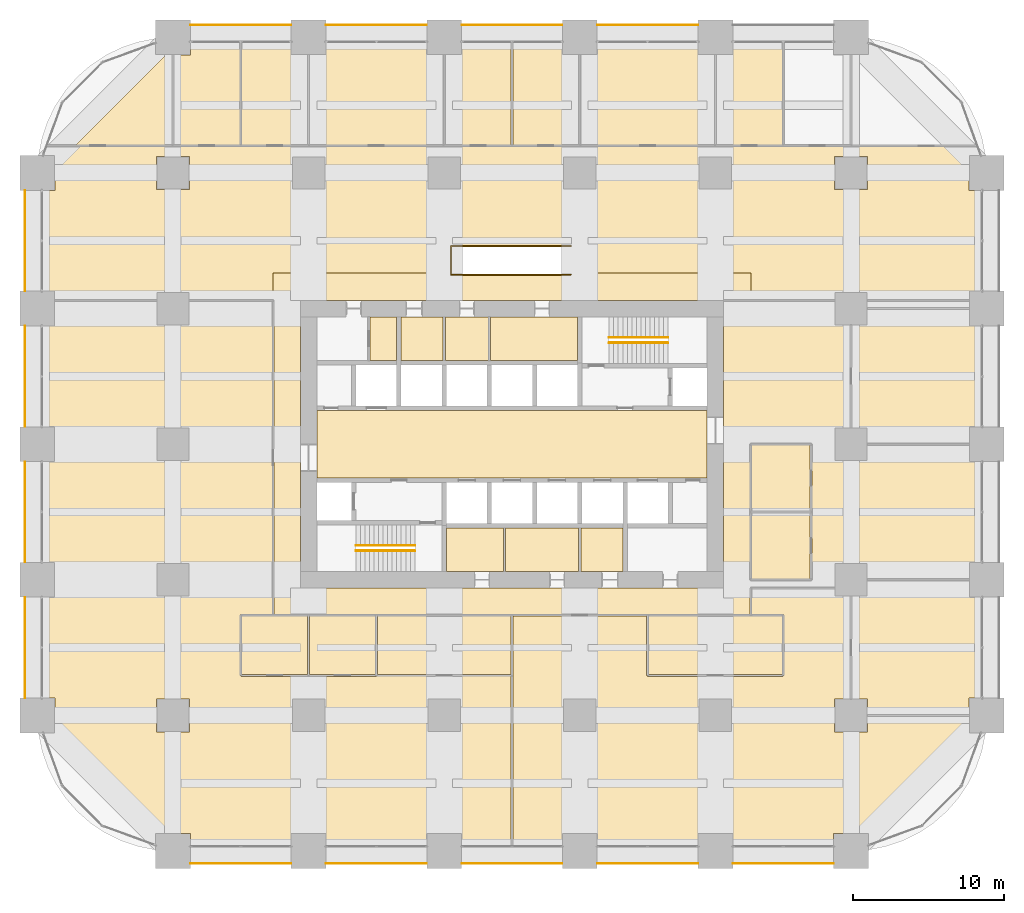
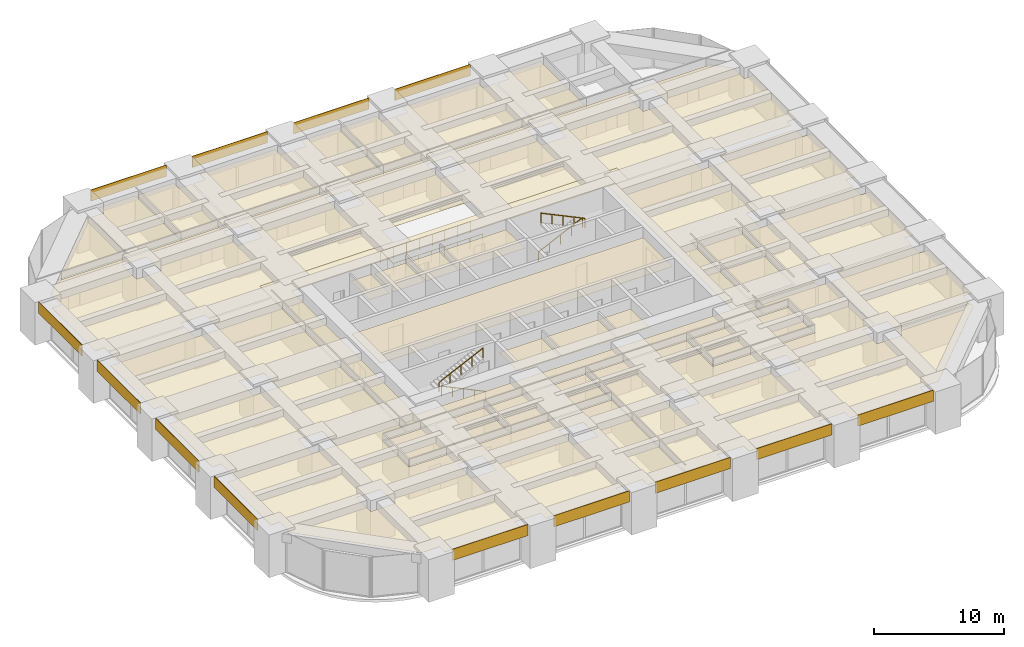
# One storey, part 43 of 44: 42 coverings, 5 railings.
"""IFC4 building model written with IfcOpenShell, lengths in metres."""

import ifcopenshell
import ifcopenshell.guid

model = None  # the IFC model being written
_history = None  # IfcOwnerHistory: only IFC2X3 demands one
_inside = {}  # id of a spatial element -> (the spatial element, [elements in it])
_under = {}  # id of a project, library or spatial element -> (it, [spatial elements below it])
_declared = {}  # id of a project -> (the project, [libraries it declares])
_typed = {}  # id of a type object -> (the type object, [elements of that type])
_made_of = {}  # id of a material, layer set ... -> (it, [elements and type objects made of it])


def new_model(schema):
    """Start an empty IFC model of exactly this schema.

    Asked for "IFC4X3", IfcOpenShell would pick the latest addendum, in which some entities
    have other attributes; the version numbers below select the first issue.
    IFC2X3 requires an IfcOwnerHistory on every rooted entity: one is made here for all.
    """
    global model, _history
    if schema == "IFC4X3":
        model = ifcopenshell.file(schema_version=(4, 3, 0, 0))
    else:
        model = ifcopenshell.file(schema=schema)
    _inside.clear()
    _under.clear()
    _declared.clear()
    _typed.clear()
    _made_of.clear()
    _history = None
    if model.schema == "IFC2X3":
        org = make("IfcOrganization", Name="unknown")
        user = make(
            "IfcPersonAndOrganization",
            ThePerson=make("IfcPerson", FamilyName="unknown"),
            TheOrganization=org,
        )
        app = make(
            "IfcApplication",
            ApplicationDeveloper=org,
            Version="unknown",
            ApplicationFullName="unknown",
            ApplicationIdentifier="unknown",
        )
        _history = make(
            "IfcOwnerHistory",
            OwningUser=user,
            OwningApplication=app,
            ChangeAction="ADDED",
            CreationDate=0,
        )
    return model


def make(cls, **values):
    """One entity of the class cls with the attributes given. An attribute that is None is left unset."""
    return model.create_entity(
        cls, **{name: value for name, value in values.items() if value is not None}
    )


def rooted(cls, **values):
    """An entity with a GlobalId (a new one), such as an element, a storey or a relation."""
    return make(cls, GlobalId=ifcopenshell.guid.new(), OwnerHistory=_history, **values)


def si_unit(unit_type, name, prefix=None):
    """IfcSIUnit, for example si_unit("LENGTHUNIT", "METRE", prefix="MILLI")."""
    return make("IfcSIUnit", UnitType=unit_type, Prefix=prefix, Name=name)


def assignment(units):
    """IfcUnitAssignment: the units of a project."""
    return None if units is None else make("IfcUnitAssignment", Units=units)


def point(xyz):
    """IfcCartesianPoint."""
    return None if xyz is None else make("IfcCartesianPoint", Coordinates=xyz)


def direction(xyz):
    """IfcDirection."""
    return None if xyz is None else make("IfcDirection", DirectionRatios=xyz)


def frame(location, z_axis=None, x_axis=None):
    """IfcAxis2Placement3D, a coordinate frame: its origin and axes. An axis left out is left unset."""
    return make(
        "IfcAxis2Placement3D",
        Location=point(location),
        Axis=direction(z_axis),
        RefDirection=direction(x_axis),
    )


def frame_2d(location, x_axis=None):
    """IfcAxis2Placement2D, a coordinate frame in the plane: its origin and x axis."""
    return make(
        "IfcAxis2Placement2D", Location=point(location), RefDirection=direction(x_axis)
    )


def origin():
    """The frame at (0, 0, 0) with its axes left unset."""
    return frame((0.0, 0.0, 0.0))


def origin_2d():
    """The frame at (0, 0) in the plane with its x axis left unset."""
    return frame_2d((0.0, 0.0))


def place(relative_to, where):
    """IfcLocalPlacement: puts the frame where relative to a parent placement (None: the world)."""
    return make(
        "IfcLocalPlacement", PlacementRelTo=relative_to, RelativePlacement=where
    )


def context(
    kind, dimensions, precision=None, world=None, true_north=None, identifier=None
):
    """IfcGeometricRepresentationContext, for example the 3D "Model" context."""
    return make(
        "IfcGeometricRepresentationContext",
        ContextIdentifier=identifier,
        ContextType=kind,
        CoordinateSpaceDimension=dimensions,
        Precision=precision,
        WorldCoordinateSystem=world,
        TrueNorth=true_north,
    )


def subcontext(parent, identifier, kind, view, scale=None):
    """IfcGeometricRepresentationSubContext, for example "Body" below "Model"."""
    return make(
        "IfcGeometricRepresentationSubContext",
        ContextIdentifier=identifier,
        ContextType=kind,
        ParentContext=parent,
        TargetScale=scale,
        TargetView=view,
    )


def project(units=None, contexts=None):
    """IfcProject with its units and contexts."""
    return rooted(
        "IfcProject",
        Name="project",
        RepresentationContexts=contexts,
        UnitsInContext=assignment(units),
    )


def spatial(cls, under=None, at=None, **own):
    """A site, building, storey or space (cls), placed at a placement, below another one or the project."""
    s = rooted(cls, ObjectPlacement=at, **own)
    if under is not None:
        _under.setdefault(under.id(), (under, []))[1].append(s)
    return s


def polyline(points):
    """IfcPolyline through the points."""
    return make("IfcPolyline", Points=[point(p) for p in points])


def profile(cls, at=None, kind="AREA", **sizes):
    """A parametric profile (cls). Its sizes go by their IFC names, for example OverallWidth=200.0."""
    return make(cls, ProfileType=kind, Position=at, **sizes)


def rectangle(**sizes):
    """IfcRectangleProfileDef."""
    return profile("IfcRectangleProfileDef", **sizes)


def circle(**sizes):
    """IfcCircleProfileDef."""
    return profile("IfcCircleProfileDef", **sizes)


def outline(outer, holes=None, kind="AREA"):
    """IfcArbitraryClosedProfileDef: a profile drawn as a closed curve; with holes, ...WithVoids."""
    if holes is None:
        return make("IfcArbitraryClosedProfileDef", ProfileType=kind, OuterCurve=outer)
    return make(
        "IfcArbitraryProfileDefWithVoids",
        ProfileType=kind,
        OuterCurve=outer,
        InnerCurves=holes,
    )


def extrude(swept, where, along, depth):
    """IfcExtrudedAreaSolid: the profile swept, set in the frame where, extruded along a direction by depth."""
    return make(
        "IfcExtrudedAreaSolid",
        SweptArea=swept,
        Position=where,
        ExtrudedDirection=direction(along),
        Depth=depth,
    )


def shape(context_of_items, identifier, shape_type, items):
    """IfcShapeRepresentation: the items that make up one representation, for example the "Body"."""
    return make(
        "IfcShapeRepresentation",
        ContextOfItems=context_of_items,
        RepresentationIdentifier=identifier,
        RepresentationType=shape_type,
        Items=items,
    )


def material(Name=None, Category=None):
    """IfcMaterial."""
    return make("IfcMaterial", Name=Name, Category=Category)


def layer(
    of_material, thickness, ventilated=None, Name=None, Category=None, Priority=None
):
    """IfcMaterialLayer: one layer of a wall or slab, of a material (None: an air gap)."""
    return make(
        "IfcMaterialLayer",
        Material=of_material,
        LayerThickness=thickness,
        IsVentilated=ventilated,
        Name=Name,
        Category=Category,
        Priority=Priority,
    )


def layer_set(layers, Name=None):
    """IfcMaterialLayerSet."""
    return make("IfcMaterialLayerSet", MaterialLayers=layers, LayerSetName=Name)


def made_of(thing, what):
    """Note that an element or type object is made of a material, layer set ...; save() writes the relation."""
    if what is not None:
        _made_of.setdefault(what.id(), (what, []))[1].append(thing)
    return thing


def type_object(cls, material=None, **own):
    """A type object (cls), such as IfcWallType, which elements share."""
    return made_of(rooted(cls, **own), material)


def element(
    cls,
    number,
    at=None,
    inside=None,
    cuts=None,
    type_object=None,
    material=None,
    context=None,
    identifier="Body",
    shape_type=None,
    held_by="IfcProductDefinitionShape",
    body=None,
    shapes=None,
    **own,
):
    """One element of the class cls, such as IfcWall. Its Tag is "e" and its number.

    at: its placement. inside: the storey or other place that contains it. cuts: it is an
    opening in that element (IfcRelVoidsElement). A single representation is given by context,
    identifier, shape_type and body (its items); several are given by shapes. held_by: the class
    of the entity that holds the representations. save() writes the other relations.
    """
    e = rooted(cls, Tag="e%d" % number, ObjectPlacement=at, **own)
    if body is not None:
        shapes = [shape(context, identifier, shape_type, body)]
    if shapes is not None:
        e.Representation = make(held_by, Representations=shapes)
    if inside is not None:
        _inside.setdefault(inside.id(), (inside, []))[1].append(e)
    if cuts is not None:
        rooted(
            "IfcRelVoidsElement", RelatingBuildingElement=cuts, RelatedOpeningElement=e
        )
    if type_object is not None:
        _typed.setdefault(type_object.id(), (type_object, []))[1].append(e)
    return made_of(e, material)


def aggregate(whole, parts):
    """IfcRelAggregates: a whole, such as a stair, and the parts it consists of."""
    return rooted("IfcRelAggregates", RelatingObject=whole, RelatedObjects=parts)


def save(model, path):
    """Write the relations noted so far, then the file.

    IfcRelAggregates (storeys below a building ...), IfcRelContainedInSpatialStructure (elements
    in a storey), IfcRelDefinesByType, IfcRelAssociatesMaterial and IfcRelDeclares: one each for
    every whole, place, type object, material and project.
    """
    for whole, parts in _under.values():
        aggregate(whole, parts)
    for where, things in _inside.values():
        rooted(
            "IfcRelContainedInSpatialStructure",
            RelatedElements=things,
            RelatingStructure=where,
        )
    for kind, things in _typed.values():
        rooted("IfcRelDefinesByType", RelatedObjects=things, RelatingType=kind)
    for what, things in _made_of.values():
        rooted("IfcRelAssociatesMaterial", RelatedObjects=things, RelatingMaterial=what)
    for by, libraries in _declared.values():
        rooted("IfcRelDeclares", RelatingContext=by, RelatedDefinitions=libraries)
    model.write(path)


model = new_model("IFC4")

# Units and contexts
model_context = context("Model", 3, precision=1e-05, world=origin(), true_north=direction((0.0, 1.0)))
body_context = subcontext(model_context, "Body", "Model", "MODEL_VIEW")
ifc_project = project(units=[si_unit("LENGTHUNIT", "METRE"), si_unit("AREAUNIT", "SQUARE_METRE"), si_unit("VOLUMEUNIT", "CUBIC_METRE"), si_unit("PLANEANGLEUNIT", "RADIAN"), si_unit("MASSUNIT", "GRAM", prefix="KILO")], contexts=[model_context])

# Site, building, storey
site_placement = place(None, origin())
site = spatial("IfcSite", under=ifc_project, at=site_placement, CompositionType="ELEMENT")
building_placement = place(site_placement, origin())
building = spatial("IfcBuilding", under=site, at=building_placement, Name="Zorevar Civic Tower", CompositionType="ELEMENT")
storey_placement = place(building_placement, frame((0.0, 0.0, 63.800048828125)))
storey = spatial("IfcBuildingStorey", under=building, at=storey_placement, Name="L15", CompositionType="ELEMENT", Elevation=63.800048828125)

# Railings
ifc_material_1 = material(Name="Laminated glass balustrade with black steel handrail", Category="steel")
railing_type_1 = type_object("IfcRailingType", Name="Balustrade BL1 1100", PredefinedType="BALUSTRADE", material=ifc_material_1)
railing_1_placement = place(storey_placement, frame((35.39990234375, 38.25, 0.0)))
element("IfcRailing", 1, at=railing_1_placement, inside=storey, type_object=railing_type_1, Name="Balustrade BL1 stair void L15", PredefinedType="BALUSTRADE", context=body_context, shape_type="SweptSolid", body=[
    extrude(circle(Radius=0.02392578125, at=origin_2d()), frame((0.0, 0.0, 1.076171875), z_axis=(-1.0, 0.0, 0.0), x_axis=(0.0, -1.0, 0.0)), (0.0, 0.0, 1.0), 7.949951171875),
    extrude(circle(Radius=0.02392578125, at=origin_2d()), frame((-7.949951171875, 0.0, 1.076171875), z_axis=(0.0, 1.0, 0.0), x_axis=(-1.0, 0.0, 0.0)), (0.0, 0.0, 1.0), 1.89990234375),
    extrude(circle(Radius=0.02392578125, at=origin_2d()), frame((-7.949951171875, 1.89990234375, 1.076171875), z_axis=(1.0, 0.0, 0.0), x_axis=(0.0, 1.0, 0.0)), (0.0, 0.0, 1.0), 7.949951171875),
    extrude(circle(Radius=0.02099609375, at=origin_2d()), origin(), (0.0, 0.0, 1.0), 1.052001953125),
    extrude(circle(Radius=0.02099609375, at=origin_2d()), frame((-1.1357421875, 0.0, 0.0)), (0.0, 0.0, 1.0), 1.052001953125),
    extrude(circle(Radius=0.02099609375, at=origin_2d()), frame((-2.271484375, 0.0, 0.0)), (0.0, 0.0, 1.0), 1.052001953125),
    extrude(circle(Radius=0.02099609375, at=origin_2d()), frame((-3.4072265625, 0.0, 0.0)), (0.0, 0.0, 1.0), 1.052001953125),
    extrude(circle(Radius=0.02099609375, at=origin_2d()), frame((-4.542724609375, 0.0, 0.0)), (0.0, 0.0, 1.0), 1.052001953125),
    extrude(circle(Radius=0.02099609375, at=origin_2d()), frame((-5.678466796875, 0.0, 0.0)), (0.0, 0.0, 1.0), 1.052001953125),
    extrude(circle(Radius=0.02099609375, at=origin_2d()), frame((-6.814208984375, 0.0, 0.0)), (0.0, 0.0, 1.0), 1.052001953125),
    extrude(circle(Radius=0.02099609375, at=origin_2d()), frame((-7.949951171875, 0.0, 0.0)), (0.0, 0.0, 1.0), 1.052001953125),
    extrude(circle(Radius=0.02099609375, at=origin_2d()), frame((-7.949951171875, 0.949951171875, 0.0)), (0.0, 0.0, 1.0), 1.052001953125),
    extrude(circle(Radius=0.02099609375, at=origin_2d()), frame((-7.949951171875, 1.89990234375, 0.0)), (0.0, 0.0, 1.0), 1.052001953125),
    extrude(circle(Radius=0.02099609375, at=origin_2d()), frame((-6.814208984375, 1.89990234375, 0.0)), (0.0, 0.0, 1.0), 1.052001953125),
    extrude(circle(Radius=0.02099609375, at=origin_2d()), frame((-5.678466796875, 1.89990234375, 0.0)), (0.0, 0.0, 1.0), 1.052001953125),
    extrude(circle(Radius=0.02099609375, at=origin_2d()), frame((-4.542724609375, 1.89990234375, 0.0)), (0.0, 0.0, 1.0), 1.052001953125),
    extrude(circle(Radius=0.02099609375, at=origin_2d()), frame((-3.4072265625, 1.89990234375, 0.0)), (0.0, 0.0, 1.0), 1.052001953125),
    extrude(circle(Radius=0.02099609375, at=origin_2d()), frame((-2.271484375, 1.89990234375, 0.0)), (0.0, 0.0, 1.0), 1.052001953125),
    extrude(circle(Radius=0.02099609375, at=origin_2d()), frame((-1.1357421875, 1.89990234375, 0.0)), (0.0, 0.0, 1.0), 1.052001953125),
    extrude(circle(Radius=0.02099609375, at=origin_2d()), frame((0.0, 1.89990234375, 0.0)), (0.0, 0.0, 1.0), 1.052001953125),
])
ifc_material_2 = material(Name="Black steel handrail", Category="steel")
railing_type_2 = type_object("IfcRailingType", Name="Handrail HR1 900", PredefinedType="HANDRAIL", material=ifc_material_2)
railing_2_placement = place(storey_placement, frame((25.050048828125, 19.925048828125, 0.142822265625)))
element("IfcRailing", 2, at=railing_2_placement, inside=storey, type_object=railing_type_2, Name="Handrail HR1 ST1 L15", PredefinedType="HANDRAIL", context=body_context, shape_type="SweptSolid", body=[
    extrude(circle(Radius=0.02392578125, at=origin_2d()), frame((0.0, 0.0, 0.8759765625), z_axis=(-0.902863652845, 0.0, 0.429926998885), x_axis=(0.0, -1.0, 0.0)), (0.0, 0.0, 1.0), 4.31982421875),
    extrude(circle(Radius=0.02099609375, at=origin_2d()), origin(), (0.0, 0.0, 1.0), 0.851806640625),
    extrude(circle(Radius=0.02099609375, at=origin_2d()), frame((-0.97509765625, 0.0, 0.46435546875)), (0.0, 0.0, 1.0), 0.851806640625),
    extrude(circle(Radius=0.02099609375, at=origin_2d()), frame((-1.9501953125, 0.0, 0.9287109375)), (0.0, 0.0, 1.0), 0.851806640625),
    extrude(circle(Radius=0.02099609375, at=origin_2d()), frame((-2.925048828125, 0.0, 1.392822265625)), (0.0, 0.0, 1.0), 0.851806640625),
    extrude(circle(Radius=0.02099609375, at=origin_2d()), frame((-3.900146484375, 0.0, 1.857177734375)), (0.0, 0.0, 1.0), 0.851806640625),
])
for number, where, name in (
    (3, (21.14990234375, 20.27490234375, 2.142822265625), "Handrail HR1 ST1 L15"),
    (4, (37.949951171875, 34.074951171875, 0.142822265625), "Handrail HR1 ST2 L15"),
):
    element("IfcRailing", number, at=place(storey_placement, frame(where)), inside=storey, type_object=railing_type_2, Name=name, PredefinedType="HANDRAIL", context=body_context, shape_type="SweptSolid", body=[
        extrude(circle(Radius=0.02392578125, at=origin_2d()), frame((0.0, 0.0, 0.8759765625), z_axis=(0.902863652845, 0.0, 0.429926998885), x_axis=(0.0, 1.0, 0.0)), (0.0, 0.0, 1.0), 4.31982421875),
        extrude(circle(Radius=0.02099609375, at=origin_2d()), origin(), (0.0, 0.0, 1.0), 0.851806640625),
        extrude(circle(Radius=0.02099609375, at=origin_2d()), frame((0.97509765625, 0.0, 0.46435546875)), (0.0, 0.0, 1.0), 0.851806640625),
        extrude(circle(Radius=0.02099609375, at=origin_2d()), frame((1.9501953125, 0.0, 0.9287109375)), (0.0, 0.0, 1.0), 0.851806640625),
        extrude(circle(Radius=0.02099609375, at=origin_2d()), frame((2.925048828125, 0.0, 1.392822265625)), (0.0, 0.0, 1.0), 0.851806640625),
        extrude(circle(Radius=0.02099609375, at=origin_2d()), frame((3.900146484375, 0.0, 1.857177734375)), (0.0, 0.0, 1.0), 0.851806640625),
    ])
railing_3_placement = place(storey_placement, frame((41.85009765625, 33.72509765625, 2.142822265625)))
element("IfcRailing", 5, at=railing_3_placement, inside=storey, type_object=railing_type_2, Name="Handrail HR1 ST2 L15", PredefinedType="HANDRAIL", context=body_context, shape_type="SweptSolid", body=[
    extrude(circle(Radius=0.02392578125, at=origin_2d()), frame((0.0, 0.0, 0.8759765625), z_axis=(-0.902863652845, 0.0, 0.429926998885), x_axis=(0.0, -1.0, 0.0)), (0.0, 0.0, 1.0), 4.31982421875),
    extrude(circle(Radius=0.02099609375, at=origin_2d()), origin(), (0.0, 0.0, 1.0), 0.851806640625),
    extrude(circle(Radius=0.02099609375, at=origin_2d()), frame((-0.97509765625, 0.0, 0.46435546875)), (0.0, 0.0, 1.0), 0.851806640625),
    extrude(circle(Radius=0.02099609375, at=origin_2d()), frame((-1.9501953125, 0.0, 0.9287109375)), (0.0, 0.0, 1.0), 0.851806640625),
    extrude(circle(Radius=0.02099609375, at=origin_2d()), frame((-2.925048828125, 0.0, 1.392822265625)), (0.0, 0.0, 1.0), 0.851806640625),
    extrude(circle(Radius=0.02099609375, at=origin_2d()), frame((-3.900146484375, 0.0, 1.857177734375)), (0.0, 0.0, 1.0), 0.851806640625),
])

# Coverings
ifc_material_3 = material(Name="Moisture-resistant gypsum board")
ifc_layer_1 = layer(ifc_material_3, 0.012451171875)
ifc_layer_set_1 = layer_set([ifc_layer_1], Name="Moisture-resistant ceiling SC3")
covering_type_1 = type_object("IfcCoveringType", Name="Moisture-resistant ceiling SC3", PredefinedType="CEILING", material=ifc_layer_set_1)
covering_1_placement = place(storey_placement, frame((0.0, 0.0, 3.0)))
element("IfcCovering", 6, at=covering_1_placement, inside=storey, type_object=covering_type_1, Name="Ceiling L15-05", PredefinedType="CEILING", context=body_context, shape_type="SweptSolid", body=[
    extrude(outline(polyline([(30.925048828125, 18.550048828125), (30.925048828125, 21.449951171875), (27.14990234375, 21.449951171875), (27.14990234375, 18.550048828125), (30.925048828125, 18.550048828125)])), origin(), (0.0, 0.0, 1.0), 0.012451171875),
])
covering_2_placement = place(storey_placement, frame((0.0, 0.0, 3.0)))
element("IfcCovering", 7, at=covering_2_placement, inside=storey, type_object=covering_type_1, Name="Ceiling L15-06", PredefinedType="CEILING", context=body_context, shape_type="SweptSolid", body=[
    extrude(outline(polyline([(35.925048828125, 18.550048828125), (35.925048828125, 21.449951171875), (31.074951171875, 21.449951171875), (31.074951171875, 18.550048828125), (35.925048828125, 18.550048828125)])), origin(), (0.0, 0.0, 1.0), 0.012451171875),
])
covering_3_placement = place(storey_placement, frame((0.0, 0.0, 3.0)))
element("IfcCovering", 8, at=covering_3_placement, inside=storey, type_object=covering_type_1, Name="Ceiling L15-07", PredefinedType="CEILING", context=body_context, shape_type="SweptSolid", body=[
    extrude(outline(polyline([(38.85009765625, 18.550048828125), (38.85009765625, 21.449951171875), (36.074951171875, 21.449951171875), (36.074951171875, 18.550048828125), (38.85009765625, 18.550048828125)])), origin(), (0.0, 0.0, 1.0), 0.012451171875),
])
covering_4_placement = place(storey_placement, frame((0.0, 0.0, 3.0)))
element("IfcCovering", 9, at=covering_4_placement, inside=storey, type_object=covering_type_1, Name="Ceiling L15-10", PredefinedType="CEILING", context=body_context, shape_type="SweptSolid", body=[
    extrude(outline(polyline([(26.925048828125, 32.550048828125), (26.925048828125, 35.449951171875), (24.14990234375, 35.449951171875), (24.14990234375, 32.550048828125), (26.925048828125, 32.550048828125)])), origin(), (0.0, 0.0, 1.0), 0.012451171875),
])
ifc_material_4 = material(Name="Black anodised aluminium spandrel panel", Category="aluminium")
ifc_layer_2 = layer(ifc_material_4, 0.050048828125)
ifc_layer_set_2 = layer_set([ifc_layer_2], Name="Spandrel cladding SP1")
covering_type_2 = type_object("IfcCoveringType", Name="Spandrel cladding SP1", PredefinedType="CLADDING", material=ifc_layer_set_2)
for number, where, z_axis, x_axis, name in (
    (10, (10.14990234375, -0.824951171875, 2.949951171875), (0.0, 0.0, 1.0), (1.0, 0.0, 0.0), "Spandrel cladding L16"),
    (11, (19.14990234375, -0.824951171875, 2.949951171875), (0.0, 0.0, 1.0), (1.0, 0.0, 0.0), "Spandrel cladding L16"),
    (12, (28.14990234375, -0.824951171875, 2.949951171875), (0.0, 0.0, 1.0), (1.0, 0.0, 0.0), "Spandrel cladding L16"),
    (13, (37.14990234375, -0.824951171875, 2.949951171875), (0.0, 0.0, 1.0), (1.0, 0.0, 0.0), "Spandrel cladding L16"),
    (14, (46.14990234375, -0.824951171875, 2.949951171875), (0.0, 0.0, 1.0), (1.0, 0.0, 0.0), "Spandrel cladding L16"),
    (15, (10.14990234375, 54.824951171875, 2.949951171875), (0.0, 0.0, 1.0), (1.0, 0.0, 0.0), "Spandrel cladding L16"),
    (16, (19.14990234375, 54.824951171875, 2.949951171875), (0.0, 0.0, 1.0), (1.0, 0.0, 0.0), "Spandrel cladding L16"),
    (17, (28.14990234375, 54.824951171875, 2.949951171875), (0.0, 0.0, 1.0), (1.0, 0.0, 0.0), "Spandrel cladding L16"),
    (18, (37.14990234375, 54.824951171875, 2.949951171875), (0.0, 0.0, 1.0), (1.0, 0.0, 0.0), "Spandrel cladding L16"),
    (19, (-0.824951171875, 10.14990234375, 2.949951171875), (0.0, 0.0, 1.0), (0.0, 1.0, 0.0), "Spandrel cladding L16"),
    (20, (-0.824951171875, 19.14990234375, 2.949951171875), (0.0, 0.0, 1.0), (0.0, 1.0, 0.0), "Spandrel cladding L16"),
    (21, (-0.824951171875, 28.14990234375, 2.949951171875), (0.0, 0.0, 1.0), (0.0, 1.0, 0.0), "Spandrel cladding L16"),
    (22, (-0.824951171875, 37.14990234375, 2.949951171875), (0.0, 0.0, 1.0), (0.0, 1.0, 0.0), "Spandrel cladding L16"),
):
    element("IfcCovering", number, at=place(storey_placement, frame(where, z_axis=z_axis, x_axis=x_axis)), inside=storey, type_object=covering_type_2, Name=name, PredefinedType="CLADDING", context=body_context, shape_type="SweptSolid", body=[
        extrude(rectangle(XDim=6.7001953125, YDim=0.050048828125, at=frame_2d((3.35009765625, 0.0))), origin(), (0.0, 0.0, 1.0), 1.050048828125),
    ])
ifc_material_5 = material(Name="Mineral fibre tiles on a concealed grid")
ifc_layer_3 = layer(ifc_material_5, 0.02001953125)
ifc_layer_set_3 = layer_set([ifc_layer_3], Name="Suspended ceiling SC1")
covering_type_3 = type_object("IfcCoveringType", Name="Suspended ceiling SC1", PredefinedType="CEILING", material=ifc_layer_set_3)
covering_5_placement = place(storey_placement, frame((0.0, 0.0, 3.0)))
element("IfcCovering", 23, at=covering_5_placement, inside=storey, type_object=covering_type_3, Name="Ceiling L15-08", PredefinedType="CEILING", context=body_context, shape_type="SweptSolid", body=[
    extrude(outline(polyline([(35.85009765625, 32.550048828125), (35.85009765625, 35.449951171875), (30.06005859375, 35.449951171875), (30.06005859375, 32.550048828125), (35.85009765625, 32.550048828125)])), origin(), (0.0, 0.0, 1.0), 0.02001953125),
])
covering_6_placement = place(storey_placement, frame((0.0, 0.0, 3.0)))
element("IfcCovering", 24, at=covering_6_placement, inside=storey, type_object=covering_type_3, Name="Ceiling L15-09", PredefinedType="CEILING", context=body_context, shape_type="SweptSolid", body=[
    extrude(outline(polyline([(29.93994140625, 32.550048828125), (29.93994140625, 35.449951171875), (27.074951171875, 35.449951171875), (27.074951171875, 32.550048828125), (29.93994140625, 32.550048828125)])), origin(), (0.0, 0.0, 1.0), 0.02001953125),
])
covering_7_placement = place(storey_placement, frame((0.0, 0.0, 3.0)))
element("IfcCovering", 25, at=covering_7_placement, inside=storey, type_object=covering_type_3, Name="Ceiling L15-12", PredefinedType="CEILING", context=body_context, shape_type="SweptSolid", body=[
    extrude(outline(polyline([(23.85009765625, 32.550048828125), (23.85009765625, 35.449951171875), (22.06005859375, 35.449951171875), (22.06005859375, 32.550048828125), (23.85009765625, 32.550048828125)])), origin(), (0.0, 0.0, 1.0), 0.02001953125),
])
covering_8_placement = place(storey_placement, frame((0.0, 0.0, 3.0)))
element("IfcCovering", 26, at=covering_8_placement, inside=storey, type_object=covering_type_3, Name="Ceiling L15-16", PredefinedType="CEILING", context=body_context, shape_type="SweptSolid", body=[
    extrude(outline(polyline([(44.449951171875, 24.75), (44.449951171875, 29.25), (18.550048828125, 29.25), (18.550048828125, 24.75), (44.449951171875, 24.75)])), origin(), (0.0, 0.0, 1.0), 0.02001953125),
])
covering_9_placement = place(storey_placement, frame((0.0, 0.0, 3.0)))
element("IfcCovering", 27, at=covering_9_placement, inside=storey, type_object=covering_type_3, Name="Ceiling L15-17", PredefinedType="CEILING", context=body_context, shape_type="SweptSolid", body=[
    extrude(outline(polyline([(9.06005859375, 46.860107421875), (9.06005859375, 52.840087890625), (10.159912109375, 52.840087890625), (10.159912109375, 53.64990234375), (13.43994140625, 53.64990234375), (13.43994140625, 46.860107421875), (9.06005859375, 46.860107421875)])), origin(), (0.0, 0.0, 1.0), 0.02001953125),
])
covering_10_placement = place(storey_placement, frame((0.0, 0.0, 3.0)))
element("IfcCovering", 28, at=covering_10_placement, inside=storey, type_object=covering_type_3, Name="Ceiling L15-18", PredefinedType="CEILING", context=body_context, shape_type="SweptSolid", body=[
    extrude(outline(polyline([(13.56005859375, 46.860107421875), (13.56005859375, 53.64990234375), (16.840087890625, 53.64990234375), (16.840087890625, 52.840087890625), (17.93994140625, 52.840087890625), (17.93994140625, 46.860107421875), (13.56005859375, 46.860107421875)])), origin(), (0.0, 0.0, 1.0), 0.02001953125),
])
covering_11_placement = place(storey_placement, frame((0.0, 0.0, 3.0)))
element("IfcCovering", 29, at=covering_11_placement, inside=storey, type_object=covering_type_3, Name="Ceiling L15-19", PredefinedType="CEILING", context=body_context, shape_type="SweptSolid", body=[
    extrude(outline(polyline([(19.159912109375, 52.840087890625), (19.159912109375, 53.64990234375), (25.840087890625, 53.64990234375), (25.840087890625, 52.840087890625), (26.93994140625, 52.840087890625), (26.93994140625, 46.860107421875), (18.06005859375, 46.860107421875), (18.06005859375, 52.840087890625), (19.159912109375, 52.840087890625)])), origin(), (0.0, 0.0, 1.0), 0.02001953125),
])
covering_12_placement = place(storey_placement, frame((0.0, 0.0, 3.0)))
element("IfcCovering", 30, at=covering_12_placement, inside=storey, type_object=covering_type_3, Name="Ceiling L15-20", PredefinedType="CEILING", context=body_context, shape_type="SweptSolid", body=[
    extrude(outline(polyline([(27.06005859375, 46.860107421875), (27.06005859375, 52.840087890625), (28.159912109375, 52.840087890625), (28.159912109375, 53.64990234375), (31.43994140625, 53.64990234375), (31.43994140625, 46.860107421875), (27.06005859375, 46.860107421875)])), origin(), (0.0, 0.0, 1.0), 0.02001953125),
])
covering_13_placement = place(storey_placement, frame((0.0, 0.0, 3.0)))
element("IfcCovering", 31, at=covering_13_placement, inside=storey, type_object=covering_type_3, Name="Ceiling L15-21", PredefinedType="CEILING", context=body_context, shape_type="SweptSolid", body=[
    extrude(outline(polyline([(31.56005859375, 46.860107421875), (31.56005859375, 53.64990234375), (34.840087890625, 53.64990234375), (34.840087890625, 52.840087890625), (35.93994140625, 52.840087890625), (35.93994140625, 46.860107421875), (31.56005859375, 46.860107421875)])), origin(), (0.0, 0.0, 1.0), 0.02001953125),
])
covering_14_placement = place(storey_placement, frame((0.0, 0.0, 3.0)))
element("IfcCovering", 32, at=covering_14_placement, inside=storey, type_object=covering_type_3, Name="Ceiling L15-22", PredefinedType="CEILING", context=body_context, shape_type="SweptSolid", body=[
    extrude(outline(polyline([(37.159912109375, 52.840087890625), (37.159912109375, 53.64990234375), (43.840087890625, 53.64990234375), (43.840087890625, 52.840087890625), (44.93994140625, 52.840087890625), (44.93994140625, 46.860107421875), (36.06005859375, 46.860107421875), (36.06005859375, 52.840087890625), (37.159912109375, 52.840087890625)])), origin(), (0.0, 0.0, 1.0), 0.02001953125),
])
covering_15_placement = place(storey_placement, frame((0.0, 0.0, 3.0)))
element("IfcCovering", 33, at=covering_15_placement, inside=storey, type_object=covering_type_3, Name="Ceiling L15-23", PredefinedType="CEILING", context=body_context, shape_type="SweptSolid", body=[
    extrude(outline(polyline([(45.06005859375, 46.860107421875), (45.06005859375, 52.840087890625), (46.159912109375, 52.840087890625), (46.159912109375, 53.64990234375), (49.43994140625, 53.64990234375), (49.43994140625, 46.860107421875), (45.06005859375, 46.860107421875)])), origin(), (0.0, 0.0, 1.0), 0.02001953125),
])
covering_16_placement = place(storey_placement, frame((0.0, 0.0, 3.0)))
element("IfcCovering", 34, at=covering_16_placement, inside=storey, type_object=covering_type_3, Name="Ceiling L15-25", PredefinedType="CEILING", context=body_context, shape_type="SweptSolid", body=[
    extrude(outline(polyline([(8.93994140625, 52.840087890625), (8.93994140625, 46.860107421875), (2.567138671875, 46.860107421875), (8.547119140625, 52.840087890625), (8.93994140625, 52.840087890625)])), origin(), (0.0, 0.0, 1.0), 0.02001953125),
])
covering_17_placement = place(storey_placement, frame((0.0, 0.0, 3.0)))
element("IfcCovering", 35, at=covering_17_placement, inside=storey, type_object=covering_type_3, Name="Ceiling L15-27", PredefinedType="CEILING", context=body_context, shape_type="SweptSolid", body=[
    extrude(outline(polyline([(17.93994140625, 11.7099609375), (13.56005859375, 11.7099609375), (13.56005859375, 15.590087890625), (17.93994140625, 15.590087890625), (17.93994140625, 11.7099609375)])), origin(), (0.0, 0.0, 1.0), 0.02001953125),
])
covering_18_placement = place(storey_placement, frame((0.0, 0.0, 3.0)))
element("IfcCovering", 36, at=covering_18_placement, inside=storey, type_object=covering_type_3, Name="Ceiling L15-28", PredefinedType="CEILING", context=body_context, shape_type="SweptSolid", body=[
    extrude(outline(polyline([(22.43994140625, 11.7099609375), (18.06005859375, 11.7099609375), (18.06005859375, 15.590087890625), (22.43994140625, 15.590087890625), (22.43994140625, 11.7099609375)])), origin(), (0.0, 0.0, 1.0), 0.02001953125),
])
covering_19_placement = place(storey_placement, frame((0.0, 0.0, 3.0)))
element("IfcCovering", 37, at=covering_19_placement, inside=storey, type_object=covering_type_3, Name="Ceiling L15-29", PredefinedType="CEILING", context=body_context, shape_type="SweptSolid", body=[
    extrude(outline(polyline([(22.56005859375, 11.699951171875), (22.56005859375, 15.590087890625), (31.43994140625, 15.590087890625), (31.43994140625, 11.699951171875), (22.56005859375, 11.699951171875)])), origin(), (0.0, 0.0, 1.0), 0.02001953125),
])
covering_20_placement = place(storey_placement, frame((0.0, 0.0, 3.0)))
element("IfcCovering", 38, at=covering_20_placement, inside=storey, type_object=covering_type_3, Name="Ceiling L15-30", PredefinedType="CEILING", context=body_context, shape_type="SweptSolid", body=[
    extrude(outline(polyline([(49.43994140625, 15.590087890625), (49.43994140625, 11.7099609375), (40.56005859375, 11.7099609375), (40.56005859375, 15.590087890625), (49.43994140625, 15.590087890625)])), origin(), (0.0, 0.0, 1.0), 0.02001953125),
])
covering_21_placement = place(storey_placement, frame((0.0, 0.0, 3.0)))
element("IfcCovering", 39, at=covering_21_placement, inside=storey, type_object=covering_type_3, Name="Ceiling L15-31", PredefinedType="CEILING", context=body_context, shape_type="SweptSolid", body=[
    extrude(outline(polyline([(47.409912109375, 22.43994140625), (51.2900390625, 22.43994140625), (51.2900390625, 18.06005859375), (47.409912109375, 18.06005859375), (47.409912109375, 22.43994140625)])), origin(), (0.0, 0.0, 1.0), 0.02001953125),
])
covering_22_placement = place(storey_placement, frame((0.0, 0.0, 3.0)))
element("IfcCovering", 40, at=covering_22_placement, inside=storey, type_object=covering_type_3, Name="Ceiling L15-32", PredefinedType="CEILING", context=body_context, shape_type="SweptSolid", body=[
    extrude(outline(polyline([(47.409912109375, 22.56005859375), (47.409912109375, 26.93994140625), (51.2900390625, 26.93994140625), (51.2900390625, 22.56005859375), (47.409912109375, 22.56005859375)])), origin(), (0.0, 0.0, 1.0), 0.02001953125),
])
covering_23_placement = place(storey_placement, frame((0.0, 0.0, 3.0)))
element("IfcCovering", 41, at=covering_23_placement, inside=storey, type_object=covering_type_3, Name="Ceiling L15-33", PredefinedType="CEILING", context=body_context, shape_type="SweptSolid", body=[
    extrude(outline(polyline([(62.64990234375, 10.159912109375), (61.840087890625, 10.159912109375), (61.840087890625, 9.06005859375), (55.0849609375, 9.06005859375), (55.0849609375, 10.0849609375), (54.06005859375, 10.0849609375), (54.06005859375, 16.9150390625), (55.0849609375, 16.9150390625), (55.0849609375, 17.93994140625), (61.840087890625, 17.93994140625), (61.840087890625, 16.840087890625), (62.64990234375, 16.840087890625), (62.64990234375, 10.159912109375)])), origin(), (0.0, 0.0, 1.0), 0.02001953125),
])
covering_24_placement = place(storey_placement, frame((0.0, 0.0, 3.0)))
element("IfcCovering", 42, at=covering_24_placement, inside=storey, type_object=covering_type_3, Name="Ceiling L15-34", PredefinedType="CEILING", context=body_context, shape_type="SweptSolid", body=[
    extrude(outline(polyline([(62.64990234375, 28.159912109375), (61.840087890625, 28.159912109375), (61.840087890625, 27.06005859375), (55.0849609375, 27.06005859375), (55.0849609375, 28.0849609375), (54.06005859375, 28.0849609375), (54.06005859375, 34.9150390625), (55.0849609375, 34.9150390625), (55.0849609375, 35.93994140625), (61.840087890625, 35.93994140625), (61.840087890625, 34.840087890625), (62.64990234375, 34.840087890625), (62.64990234375, 28.159912109375)])), origin(), (0.0, 0.0, 1.0), 0.02001953125),
])
covering_25_placement = place(storey_placement, frame((0.0, 0.0, 3.0)))
element("IfcCovering", 43, at=covering_25_placement, inside=storey, type_object=covering_type_3, Name="Ceiling L15-35", PredefinedType="CEILING", context=body_context, shape_type="SweptSolid", body=[
    extrude(outline(polyline([(47.35009765625, 36.550048828125), (17.449951171875, 36.550048828125), (17.449951171875, 17.449951171875), (47.300048828125, 17.449951171875), (47.300048828125, 15.7099609375), (40.5, 15.7099609375), (40.5, 15.699951171875), (31.5, 15.699951171875), (31.5, 15.7099609375), (15.699951171875, 15.7099609375), (15.699951171875, 36.550048828125), (15.64990234375, 36.550048828125), (15.64990234375, 38.35009765625), (27.5, 38.35009765625), (27.5, 38.300048828125), (35.39990234375, 38.300048828125), (35.39990234375, 38.35009765625), (47.35009765625, 38.35009765625), (47.35009765625, 36.550048828125)])), origin(), (0.0, 0.0, 1.0), 0.02001953125),
])
covering_26_placement = place(storey_placement, frame((0.0, 0.0, 3.0)))
element("IfcCovering", 44, at=covering_26_placement, inside=storey, type_object=covering_type_3, Name="Ceiling L15-36", PredefinedType="CEILING", context=body_context, shape_type="SweptSolid", body=[
    extrude(outline(polyline([(62.64990234375, 19.159912109375), (61.840087890625, 19.159912109375), (61.840087890625, 18.06005859375), (55.0849609375, 18.06005859375), (55.0849609375, 19.0849609375), (52.9150390625, 19.0849609375), (52.9150390625, 17.5), (47.35009765625, 17.5), (47.35009765625, 17.449951171875), (45.550048828125, 17.449951171875), (45.550048828125, 36.550048828125), (47.35009765625, 36.550048828125), (47.35009765625, 36.5), (52.9150390625, 36.5), (52.9150390625, 34.9150390625), (53.93994140625, 34.9150390625), (53.93994140625, 28.0849609375), (52.9150390625, 28.0849609375), (52.9150390625, 25.9150390625), (55.0849609375, 25.9150390625), (55.0849609375, 26.93994140625), (61.840087890625, 26.93994140625), (61.840087890625, 25.840087890625), (62.64990234375, 25.840087890625), (62.64990234375, 19.159912109375)]), holes=[polyline([(47.2900390625, 27.0), (47.2900390625, 18.0), (47.35009765625, 18.0), (47.35009765625, 17.93994140625), (51.35009765625, 17.93994140625), (51.35009765625, 18.0), (51.409912109375, 18.0), (51.409912109375, 27.0), (51.35009765625, 27.0), (51.35009765625, 27.06005859375), (47.35009765625, 27.06005859375), (47.35009765625, 27.0), (47.2900390625, 27.0)])]), origin(), (0.0, 0.0, 1.0), 0.02001953125),
])
covering_27_placement = place(storey_placement, frame((0.0, 0.0, 3.0)))
element("IfcCovering", 45, at=covering_27_placement, inside=storey, type_object=covering_type_3, Name="Ceiling L15-37", PredefinedType="CEILING", context=body_context, shape_type="SweptSolid", body=[
    extrude(outline(polyline([(27.5, 38.35009765625), (15.64990234375, 38.35009765625), (15.64990234375, 36.60009765625), (10.0849609375, 36.60009765625), (10.0849609375, 37.0849609375), (7.9150390625, 37.0849609375), (7.9150390625, 36.60009765625), (1.159912109375, 36.60009765625), (1.159912109375, 37.159912109375), (0.35009765625, 37.159912109375), (0.35009765625, 43.840087890625), (1.159912109375, 43.840087890625), (1.159912109375, 45.452880859375), (2.447021484375, 46.739990234375), (54.0, 46.739990234375), (54.0, 46.75), (60.54296875, 46.75), (61.840087890625, 45.452880859375), (61.840087890625, 43.840087890625), (62.64990234375, 43.840087890625), (62.64990234375, 37.159912109375), (61.840087890625, 37.159912109375), (61.840087890625, 36.60009765625), (55.0849609375, 36.60009765625), (55.0849609375, 37.0849609375), (52.9150390625, 37.0849609375), (52.9150390625, 36.60009765625), (47.35009765625, 36.60009765625), (47.35009765625, 38.35009765625), (35.39990234375, 38.35009765625), (35.39990234375, 40.10009765625), (27.5, 40.10009765625), (27.5, 38.35009765625)]), holes=[polyline([(7.9150390625, 43.9150390625), (10.0849609375, 43.9150390625), (10.0849609375, 46.0849609375), (7.9150390625, 46.0849609375), (7.9150390625, 43.9150390625)]), polyline([(16.9150390625, 46.0849609375), (16.9150390625, 43.9150390625), (19.0849609375, 43.9150390625), (19.0849609375, 46.0849609375), (16.9150390625, 46.0849609375)]), polyline([(28.0849609375, 46.0849609375), (25.9150390625, 46.0849609375), (25.9150390625, 43.9150390625), (28.0849609375, 43.9150390625), (28.0849609375, 46.0849609375)]), polyline([(37.0849609375, 43.9150390625), (37.0849609375, 46.0849609375), (34.9150390625, 46.0849609375), (34.9150390625, 43.9150390625), (37.0849609375, 43.9150390625)]), polyline([(43.9150390625, 43.9150390625), (46.0849609375, 43.9150390625), (46.0849609375, 46.0849609375), (43.9150390625, 46.0849609375), (43.9150390625, 43.9150390625)]), polyline([(55.0849609375, 46.0849609375), (52.9150390625, 46.0849609375), (52.9150390625, 43.9150390625), (55.0849609375, 43.9150390625), (55.0849609375, 46.0849609375)])]), origin(), (0.0, 0.0, 1.0), 0.02001953125),
])
covering_28_placement = place(storey_placement, frame((0.0, 0.0, 3.0)))
element("IfcCovering", 46, at=covering_28_placement, inside=storey, type_object=covering_type_3, Name="Ceiling L15-38", PredefinedType="CEILING", context=body_context, shape_type="SweptSolid", body=[
    extrude(outline(polyline([(52.9150390625, 7.9150390625), (55.0849609375, 7.9150390625), (55.0849609375, 8.93994140625), (61.840087890625, 8.93994140625), (61.840087890625, 8.547119140625), (54.452880859375, 1.159912109375), (52.840087890625, 1.159912109375), (52.840087890625, 0.35009765625), (46.159912109375, 0.35009765625), (46.159912109375, 1.159912109375), (43.840087890625, 1.159912109375), (43.840087890625, 0.35009765625), (37.159912109375, 0.35009765625), (37.159912109375, 1.159912109375), (34.840087890625, 1.159912109375), (34.840087890625, 0.35009765625), (31.550048828125, 0.35009765625), (31.550048828125, 11.64990234375), (31.56005859375, 11.64990234375), (31.56005859375, 15.60009765625), (40.43994140625, 15.60009765625), (40.43994140625, 11.64990234375), (40.5, 11.64990234375), (40.5, 11.590087890625), (49.5, 11.590087890625), (49.5, 11.64990234375), (49.56005859375, 11.64990234375), (49.56005859375, 15.64990234375), (49.5, 15.64990234375), (49.5, 15.7099609375), (47.39990234375, 15.7099609375), (47.39990234375, 17.39990234375), (52.9150390625, 17.39990234375), (52.9150390625, 16.9150390625), (53.93994140625, 16.9150390625), (53.93994140625, 10.0849609375), (52.9150390625, 10.0849609375), (52.9150390625, 7.9150390625)]), holes=[polyline([(37.0849609375, 7.9150390625), (37.0849609375, 10.0849609375), (34.9150390625, 10.0849609375), (34.9150390625, 7.9150390625), (37.0849609375, 7.9150390625)]), polyline([(43.9150390625, 10.0849609375), (43.9150390625, 7.9150390625), (46.0849609375, 7.9150390625), (46.0849609375, 10.0849609375), (43.9150390625, 10.0849609375)])]), origin(), (0.0, 0.0, 1.0), 0.02001953125),
])
covering_29_placement = place(storey_placement, frame((0.0, 0.0, 3.0)))
element("IfcCovering", 47, at=covering_29_placement, inside=storey, type_object=covering_type_3, Name="Ceiling L15-39", PredefinedType="CEILING", context=body_context, shape_type="SweptSolid", body=[
    extrude(outline(polyline([(25.840087890625, 1.159912109375), (25.840087890625, 0.35009765625), (19.159912109375, 0.35009765625), (19.159912109375, 1.159912109375), (16.840087890625, 1.159912109375), (16.840087890625, 0.35009765625), (10.159912109375, 0.35009765625), (10.159912109375, 1.159912109375), (8.547119140625, 1.159912109375), (1.159912109375, 8.547119140625), (1.159912109375, 10.159912109375), (0.35009765625, 10.159912109375), (0.35009765625, 16.840087890625), (1.159912109375, 16.840087890625), (1.159912109375, 19.159912109375), (0.35107421875, 19.159912109375), (0.35107421875, 25.840087890625), (1.159912109375, 25.840087890625), (1.159912109375, 28.159912109375), (0.35107421875, 28.159912109375), (0.35107421875, 34.840087890625), (1.159912109375, 34.840087890625), (1.159912109375, 36.4990234375), (7.9150390625, 36.4990234375), (7.9150390625, 34.9150390625), (10.0849609375, 34.9150390625), (10.0849609375, 36.4990234375), (15.59912109375, 36.4990234375), (15.60009765625, 15.7099609375), (13.5009765625, 15.7099609375), (13.5, 15.64990234375), (13.440185546875, 15.6494140625), (13.43994140625, 11.65087890625), (13.5, 11.64990234375), (13.500732421875, 11.590087890625), (22.4990234375, 11.590087890625), (22.5, 11.60009765625), (31.449951171875, 11.60009765625), (31.449951171875, 0.35009765625), (28.159912109375, 0.35009765625), (28.159912109375, 1.159912109375), (25.840087890625, 1.159912109375)]), holes=[polyline([(10.0849609375, 10.0849609375), (7.9150390625, 10.0849609375), (7.9150390625, 7.9150390625), (10.0849609375, 7.9150390625), (10.0849609375, 10.0849609375)]), polyline([(10.0849609375, 16.9150390625), (10.0849609375, 19.0849609375), (7.9150390625, 19.0849609375), (7.9150390625, 16.9150390625), (10.0849609375, 16.9150390625)]), polyline([(7.9150390625, 25.9150390625), (10.0849609375, 25.9150390625), (10.0849609375, 28.0849609375), (7.9150390625, 28.0849609375), (7.9150390625, 25.9150390625)]), polyline([(19.0849609375, 7.9150390625), (19.0849609375, 10.0849609375), (16.9150390625, 10.0849609375), (16.9150390625, 7.9150390625), (19.0849609375, 7.9150390625)]), polyline([(25.9150390625, 10.0849609375), (25.9150390625, 7.9150390625), (28.0849609375, 7.9150390625), (28.0849609375, 10.0849609375), (25.9150390625, 10.0849609375)])]), origin(), (0.0, 0.0, 1.0), 0.02001953125),
])

save(model, "model.ifc")
